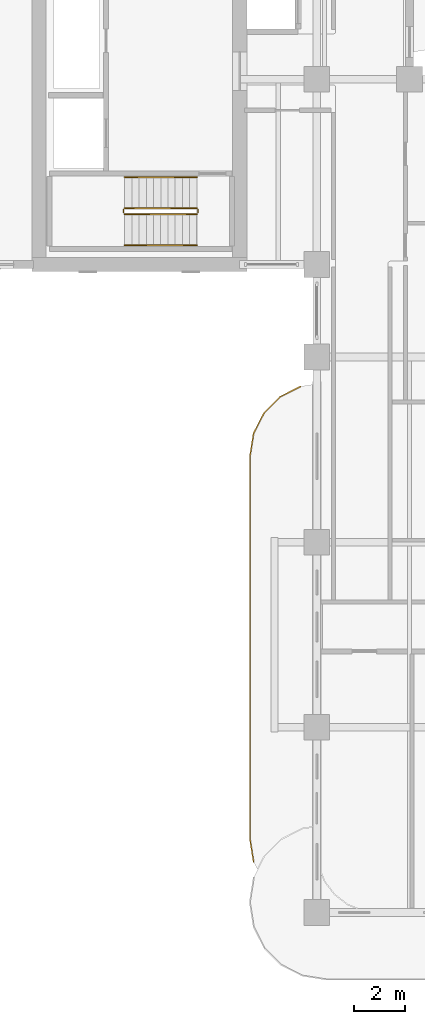
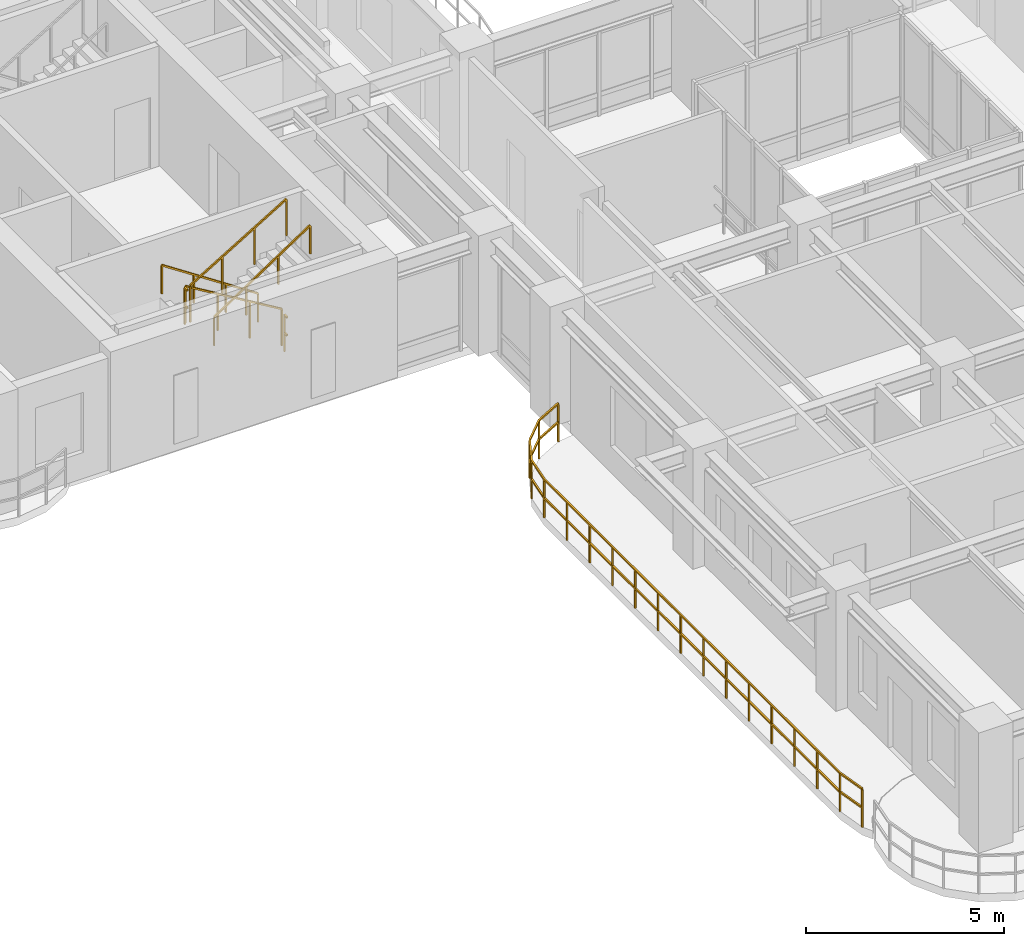
# One storey, part 17 of 20: 7 railings.
"""IFC4 building model written with IfcOpenShell, lengths in metres."""

from ifc_helpers import new_model, si_unit, derived_unit, direction, frame, origin, origin_2d, place, context, subcontext, project, spatial, rectangle, extrude, material, type_object, element, save


model = new_model("IFC4")

# Units and contexts
model_context = context("Model", 3, precision=1e-05, world=origin(), true_north=direction((0.0, 1.0)))
body_context = subcontext(model_context, "Body", "Model", "MODEL_VIEW")
ifc_project = project(units=[si_unit("LENGTHUNIT", "METRE"), si_unit("AREAUNIT", "SQUARE_METRE"), si_unit("VOLUMEUNIT", "CUBIC_METRE"), si_unit("PLANEANGLEUNIT", "RADIAN"), si_unit("MASSUNIT", "GRAM", prefix="KILO"), si_unit("THERMODYNAMICTEMPERATUREUNIT", "KELVIN"), si_unit("POWERUNIT", "WATT"), derived_unit("THERMALTRANSMITTANCEUNIT", [(si_unit("POWERUNIT", "WATT"), 1), (si_unit("AREAUNIT", "SQUARE_METRE"), -1), (si_unit("THERMODYNAMICTEMPERATUREUNIT", "KELVIN"), -1)])], contexts=[model_context])

# Site, building, storey
site_placement = place(None, origin())
site = spatial("IfcSite", under=ifc_project, at=site_placement, CompositionType="ELEMENT")
building_placement = place(site_placement, origin())
building = spatial("IfcBuilding", under=site, at=building_placement, Name="Zahravan Archway Hotel and Residences", CompositionType="ELEMENT")
storey_placement = place(building_placement, frame((0.0, 0.0, 137.699951171875)))
storey = spatial("IfcBuildingStorey", under=building, at=storey_placement, Name="L34", CompositionType="ELEMENT", Elevation=137.699951171875)

# Railings
ifc_material_1 = material(Name="Bronze & Laminated Glass Balustrade", Category="glass")
railing_type_1 = type_object("IfcRailingType", Name="RL-BAL-1200", PredefinedType="BALUSTRADE", material=ifc_material_1)
railing_1_placement = place(storey_placement, frame((11.939453125, 1.96923828125, 0.0)))
element("IfcRailing", 1, at=railing_1_placement, inside=storey, type_object=railing_type_1, Name="L34 Balustrade RL-SLB-BAL-L34-WA-1", PredefinedType="BALUSTRADE", context=body_context, shape_type="SweptSolid", body=[
    extrude(rectangle(XDim=0.048095703125, YDim=0.048095703125, at=origin_2d()), frame((0.0, 0.0, 1.17578125), z_axis=(-0.156314005608, 0.987707411965, 0.0), x_axis=(-0.987707411965, -0.156314005608, 0.0)), (0.0, 0.0, 1.0), 0.891845703125),
    extrude(rectangle(XDim=0.048095703125, YDim=0.048095703125, at=origin_2d()), frame((0.0, 0.0, 0.60009765625), z_axis=(-0.156314005608, 0.987707411965, 0.0), x_axis=(-0.987707411965, -0.156314005608, 0.0)), (0.0, 0.0, 1.0), 0.891845703125),
    extrude(rectangle(XDim=0.048095703125, YDim=0.048095703125, at=origin_2d()), frame((-0.139404296875, 0.880859375, 1.17578125), z_axis=(0.0, 1.0, 0.0), x_axis=(-1.0, 0.0, 0.0)), (0.0, 0.0, 1.0), 14.89990234375),
    extrude(rectangle(XDim=0.048095703125, YDim=0.048095703125, at=origin_2d()), frame((-0.139404296875, 0.880859375, 0.60009765625), z_axis=(0.0, 1.0, 0.0), x_axis=(-1.0, 0.0, 0.0)), (0.0, 0.0, 1.0), 14.89990234375),
    extrude(rectangle(XDim=0.048095703125, YDim=0.048095703125, at=origin_2d()), frame((-0.139404296875, 15.78076171875, 1.17578125), z_axis=(0.156356282588, 0.987700720307, 0.0), x_axis=(-0.987700720307, 0.156356282588, 0.0)), (0.0, 0.0, 1.0), 0.8916015625),
    extrude(rectangle(XDim=0.048095703125, YDim=0.048095703125, at=origin_2d()), frame((-0.139404296875, 15.78076171875, 0.60009765625), z_axis=(0.156356282588, 0.987700720307, 0.0), x_axis=(-0.987700720307, 0.156356282588, 0.0)), (0.0, 0.0, 1.0), 0.8916015625),
    extrude(rectangle(XDim=0.048095703125, YDim=0.048095703125, at=origin_2d()), frame((0.0, 16.661376953125, 1.17578125), z_axis=(0.45388067135, 0.891062476022, 0.0), x_axis=(-0.891062476022, 0.45388067135, 0.0)), (0.0, 0.0, 1.0), 0.891845703125),
    extrude(rectangle(XDim=0.048095703125, YDim=0.048095703125, at=origin_2d()), frame((0.0, 16.661376953125, 0.60009765625), z_axis=(0.45388067135, 0.891062476022, 0.0), x_axis=(-0.891062476022, 0.45388067135, 0.0)), (0.0, 0.0, 1.0), 0.891845703125),
    extrude(rectangle(XDim=0.048095703125, YDim=0.048095703125, at=origin_2d()), frame((0.40478515625, 17.4560546875, 1.17578125), z_axis=(0.70724367147, 0.706969864397, 0.0), x_axis=(-0.706969864397, 0.70724367147, 0.0)), (0.0, 0.0, 1.0), 0.8916015625),
    extrude(rectangle(XDim=0.048095703125, YDim=0.048095703125, at=origin_2d()), frame((0.40478515625, 17.4560546875, 0.60009765625), z_axis=(0.70724367147, 0.706969864397, 0.0), x_axis=(-0.706969864397, 0.70724367147, 0.0)), (0.0, 0.0, 1.0), 0.8916015625),
    extrude(rectangle(XDim=0.048095703125, YDim=0.048095703125, at=origin_2d()), frame((1.035400390625, 18.08642578125, 1.17578125), z_axis=(0.891006060389, 0.453991409995, 0.0), x_axis=(-0.453991409995, 0.891006060389, 0.0)), (0.0, 0.0, 1.0), 0.8916015625),
    extrude(rectangle(XDim=0.048095703125, YDim=0.048095703125, at=origin_2d()), frame((1.035400390625, 18.08642578125, 0.60009765625), z_axis=(0.891006060389, 0.453991409995, 0.0), x_axis=(-0.453991409995, 0.891006060389, 0.0)), (0.0, 0.0, 1.0), 0.8916015625),
    extrude(rectangle(XDim=0.0419921875, YDim=0.0419921875, at=origin_2d()), origin(), (0.0, 0.0, 1.0), 1.15185546875),
    extrude(rectangle(XDim=0.0419921875, YDim=0.0419921875, at=origin_2d()), frame((-0.139404296875, 0.880859375, 0.0)), (0.0, 0.0, 1.0), 1.15185546875),
    extrude(rectangle(XDim=0.0419921875, YDim=0.0419921875, at=origin_2d()), frame((-0.139404296875, 2.027099609375, 0.0)), (0.0, 0.0, 1.0), 1.15185546875),
    extrude(rectangle(XDim=0.0419921875, YDim=0.0419921875, at=origin_2d()), frame((-0.139404296875, 3.173095703125, 0.0)), (0.0, 0.0, 1.0), 1.15185546875),
    extrude(rectangle(XDim=0.0419921875, YDim=0.0419921875, at=origin_2d()), frame((-0.139404296875, 4.3193359375, 0.0)), (0.0, 0.0, 1.0), 1.15185546875),
    extrude(rectangle(XDim=0.0419921875, YDim=0.0419921875, at=origin_2d()), frame((-0.139404296875, 5.46533203125, 0.0)), (0.0, 0.0, 1.0), 1.15185546875),
    extrude(rectangle(XDim=0.0419921875, YDim=0.0419921875, at=origin_2d()), frame((-0.139404296875, 6.611572265625, 0.0)), (0.0, 0.0, 1.0), 1.15185546875),
    extrude(rectangle(XDim=0.0419921875, YDim=0.0419921875, at=origin_2d()), frame((-0.139404296875, 7.7578125, 0.0)), (0.0, 0.0, 1.0), 1.15185546875),
    extrude(rectangle(XDim=0.0419921875, YDim=0.0419921875, at=origin_2d()), frame((-0.139404296875, 8.90380859375, 0.0)), (0.0, 0.0, 1.0), 1.15185546875),
    extrude(rectangle(XDim=0.0419921875, YDim=0.0419921875, at=origin_2d()), frame((-0.139404296875, 10.050048828125, 0.0)), (0.0, 0.0, 1.0), 1.15185546875),
    extrude(rectangle(XDim=0.0419921875, YDim=0.0419921875, at=origin_2d()), frame((-0.139404296875, 11.1962890625, 0.0)), (0.0, 0.0, 1.0), 1.15185546875),
    extrude(rectangle(XDim=0.0419921875, YDim=0.0419921875, at=origin_2d()), frame((-0.139404296875, 12.34228515625, 0.0)), (0.0, 0.0, 1.0), 1.15185546875),
    extrude(rectangle(XDim=0.0419921875, YDim=0.0419921875, at=origin_2d()), frame((-0.139404296875, 13.488525390625, 0.0)), (0.0, 0.0, 1.0), 1.15185546875),
    extrude(rectangle(XDim=0.0419921875, YDim=0.0419921875, at=origin_2d()), frame((-0.139404296875, 14.634521484375, 0.0)), (0.0, 0.0, 1.0), 1.15185546875),
    extrude(rectangle(XDim=0.0419921875, YDim=0.0419921875, at=origin_2d()), frame((-0.139404296875, 15.78076171875, 0.0)), (0.0, 0.0, 1.0), 1.15185546875),
    extrude(rectangle(XDim=0.0419921875, YDim=0.0419921875, at=origin_2d()), frame((0.0, 16.661376953125, 0.0)), (0.0, 0.0, 1.0), 1.15185546875),
    extrude(rectangle(XDim=0.0419921875, YDim=0.0419921875, at=origin_2d()), frame((0.40478515625, 17.4560546875, 0.0)), (0.0, 0.0, 1.0), 1.15185546875),
    extrude(rectangle(XDim=0.0419921875, YDim=0.0419921875, at=origin_2d()), frame((1.035400390625, 18.08642578125, 0.0)), (0.0, 0.0, 1.0), 1.15185546875),
    extrude(rectangle(XDim=0.0419921875, YDim=0.0419921875, at=origin_2d()), frame((1.829833984375, 18.4912109375, 0.0)), (0.0, 0.0, 1.0), 1.15185546875),
])
ifc_material_2 = material(Name="Painted Tubular Steel", Category="steel")
railing_type_2 = type_object("IfcRailingType", Name="RL-STG-1150", PredefinedType="GUARDRAIL", material=ifc_material_2)
railing_2_placement = place(storey_placement, frame((9.72998046875, 27.389892578125, 0.168212890625)))
element("IfcRailing", 2, at=railing_2_placement, inside=storey, type_object=railing_type_2, Name="L34 ST-B1 stair guard 1", PredefinedType="GUARDRAIL", context=body_context, shape_type="SweptSolid", body=[
    extrude(rectangle(XDim=0.048095703125, YDim=0.048095703125, at=origin_2d()), frame((0.0, 0.0, 1.1259765625), z_axis=(-0.857242210791, 0.0, 0.514913383045), x_axis=(0.0, -1.0, 0.0)), (0.0, 0.0, 1.0), 3.266357421875),
    extrude(rectangle(XDim=0.0419921875, YDim=0.0419921875, at=origin_2d()), origin(), (0.0, 0.0, 1.0), 1.101806640625),
    extrude(rectangle(XDim=0.0419921875, YDim=0.0419921875, at=origin_2d()), frame((-0.933349609375, 0.0, 0.560546875)), (0.0, 0.0, 1.0), 1.101806640625),
    extrude(rectangle(XDim=0.0419921875, YDim=0.0419921875, at=origin_2d()), frame((-1.86669921875, 0.0, 1.121337890625)), (0.0, 0.0, 1.0), 1.101806640625),
    extrude(rectangle(XDim=0.0419921875, YDim=0.0419921875, at=origin_2d()), frame((-2.800048828125, 0.0, 1.681884765625)), (0.0, 0.0, 1.0), 1.101806640625),
])
railing_3_placement = place(storey_placement, frame((6.8798828125, 27.340087890625, 1.85009765625)))
element("IfcRailing", 3, at=railing_3_placement, inside=storey, type_object=railing_type_2, Name="L34 ST-B1 stair guard 2", PredefinedType="GUARDRAIL", context=body_context, shape_type="SweptSolid", body=[
    extrude(rectangle(XDim=0.048095703125, YDim=0.048095703125, at=origin_2d()), frame((0.0, 0.0, 1.1259765625), z_axis=(0.0, -1.0, 0.0), x_axis=(1.0, 0.0, 0.0)), (0.0, 0.0, 1.0), 0.14013671875),
    extrude(rectangle(XDim=0.048095703125, YDim=0.048095703125, at=origin_2d()), frame((0.0, 0.0, 0.574951171875), z_axis=(0.0, -1.0, 0.0), x_axis=(1.0, 0.0, 0.0)), (0.0, 0.0, 1.0), 0.14013671875),
    extrude(rectangle(XDim=0.0419921875, YDim=0.0419921875, at=origin_2d()), origin(), (0.0, 0.0, 1.0), 1.101806640625),
])
railing_4_placement = place(storey_placement, frame((6.929931640625, 27.14990234375, 2.018310546875)))
element("IfcRailing", 4, at=railing_4_placement, inside=storey, type_object=railing_type_2, Name="L34 ST-B1 stair guard 3", PredefinedType="GUARDRAIL", context=body_context, shape_type="SweptSolid", body=[
    extrude(rectangle(XDim=0.048095703125, YDim=0.048095703125, at=origin_2d()), frame((0.0, 0.0, 1.1259765625), z_axis=(0.857275202839, 0.0, 0.514858452973), x_axis=(0.0, 1.0, 0.0)), (0.0, 0.0, 1.0), 3.26611328125),
    extrude(rectangle(XDim=0.0419921875, YDim=0.0419921875, at=origin_2d()), origin(), (0.0, 0.0, 1.0), 1.101806640625),
    extrude(rectangle(XDim=0.0419921875, YDim=0.0419921875, at=origin_2d()), frame((0.933349609375, 0.0, 0.560546875)), (0.0, 0.0, 1.0), 1.101806640625),
    extrude(rectangle(XDim=0.0419921875, YDim=0.0419921875, at=origin_2d()), frame((1.86669921875, 0.0, 1.12109375)), (0.0, 0.0, 1.0), 1.101806640625),
    extrude(rectangle(XDim=0.0419921875, YDim=0.0419921875, at=origin_2d()), frame((2.800048828125, 0.0, 1.681640625)), (0.0, 0.0, 1.0), 1.101806640625),
])
railing_5_placement = place(storey_placement, frame((9.780029296875, 27.340087890625, 0.0)))
element("IfcRailing", 5, at=railing_5_placement, inside=storey, type_object=railing_type_2, Name="L34 ST-B1 stair guard 4", PredefinedType="GUARDRAIL", context=body_context, shape_type="SweptSolid", body=[
    extrude(rectangle(XDim=0.048095703125, YDim=0.048095703125, at=origin_2d()), frame((0.0, 0.0, 1.1259765625), z_axis=(0.0, -1.0, 0.0), x_axis=(1.0, 0.0, 0.0)), (0.0, 0.0, 1.0), 0.14013671875),
    extrude(rectangle(XDim=0.048095703125, YDim=0.048095703125, at=origin_2d()), frame((0.0, 0.0, 0.574951171875), z_axis=(0.0, -1.0, 0.0), x_axis=(1.0, 0.0, 0.0)), (0.0, 0.0, 1.0), 0.14013671875),
    extrude(rectangle(XDim=0.0419921875, YDim=0.0419921875, at=origin_2d()), origin(), (0.0, 0.0, 1.0), 1.101806640625),
])
ifc_material_3 = material(Name="Brushed Stainless Steel", Category="steel")
railing_type_3 = type_object("IfcRailingType", Name="RL-STH-900", PredefinedType="HANDRAIL", material=ifc_material_3)
railing_6_placement = place(storey_placement, frame((9.72998046875, 28.590087890625, 0.168212890625)))
element("IfcRailing", 6, at=railing_6_placement, inside=storey, type_object=railing_type_3, Name="L34 ST-B1 stair handrail 1", PredefinedType="HANDRAIL", context=body_context, shape_type="SweptSolid", body=[
    extrude(rectangle(XDim=0.048095703125, YDim=0.048095703125, at=origin_2d()), frame((0.0, 0.0, 0.8759765625), z_axis=(-0.834326358476, 0.0, 0.551270829586), x_axis=(0.0, -1.0, 0.0)), (0.0, 0.0, 1.0), 3.35595703125),
    extrude(rectangle(XDim=0.0419921875, YDim=0.0419921875, at=origin_2d()), origin(), (0.0, 0.0, 1.0), 0.851806640625),
    extrude(rectangle(XDim=0.0419921875, YDim=0.0419921875, at=origin_2d()), frame((-0.933349609375, 0.0, 0.61669921875)), (0.0, 0.0, 1.0), 0.851806640625),
    extrude(rectangle(XDim=0.0419921875, YDim=0.0419921875, at=origin_2d()), frame((-1.86669921875, 0.0, 1.2333984375)), (0.0, 0.0, 1.0), 0.851806640625),
    extrude(rectangle(XDim=0.0419921875, YDim=0.0419921875, at=origin_2d()), frame((-2.800048828125, 0.0, 1.85009765625)), (0.0, 0.0, 1.0), 0.851806640625),
])
railing_7_placement = place(storey_placement, frame((6.929931640625, 25.949951171875, 2.018310546875)))
element("IfcRailing", 7, at=railing_7_placement, inside=storey, type_object=railing_type_3, Name="L34 ST-B1 stair handrail 2", PredefinedType="HANDRAIL", context=body_context, shape_type="SweptSolid", body=[
    extrude(rectangle(XDim=0.048095703125, YDim=0.048095703125, at=origin_2d()), frame((0.0, 0.0, 0.8759765625), z_axis=(0.83435981716, 0.0, 0.551220187865), x_axis=(0.0, 1.0, 0.0)), (0.0, 0.0, 1.0), 3.35595703125),
    extrude(rectangle(XDim=0.0419921875, YDim=0.0419921875, at=origin_2d()), origin(), (0.0, 0.0, 1.0), 0.851806640625),
    extrude(rectangle(XDim=0.0419921875, YDim=0.0419921875, at=origin_2d()), frame((0.933349609375, 0.0, 0.61669921875)), (0.0, 0.0, 1.0), 0.851806640625),
    extrude(rectangle(XDim=0.0419921875, YDim=0.0419921875, at=origin_2d()), frame((1.86669921875, 0.0, 1.233154296875)), (0.0, 0.0, 1.0), 0.851806640625),
    extrude(rectangle(XDim=0.0419921875, YDim=0.0419921875, at=origin_2d()), frame((2.800048828125, 0.0, 1.849853515625)), (0.0, 0.0, 1.0), 0.851806640625),
])

save(model, "model.ifc")
